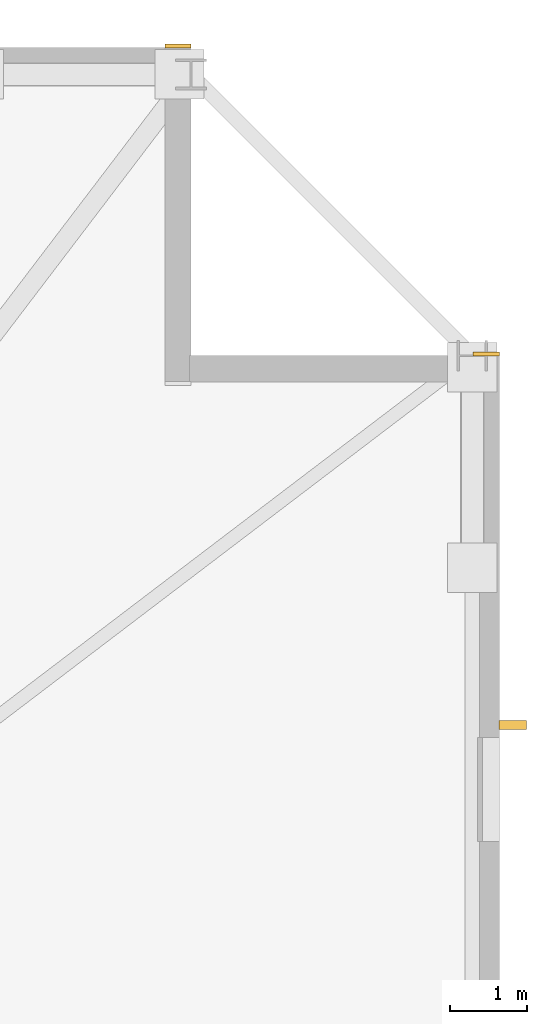
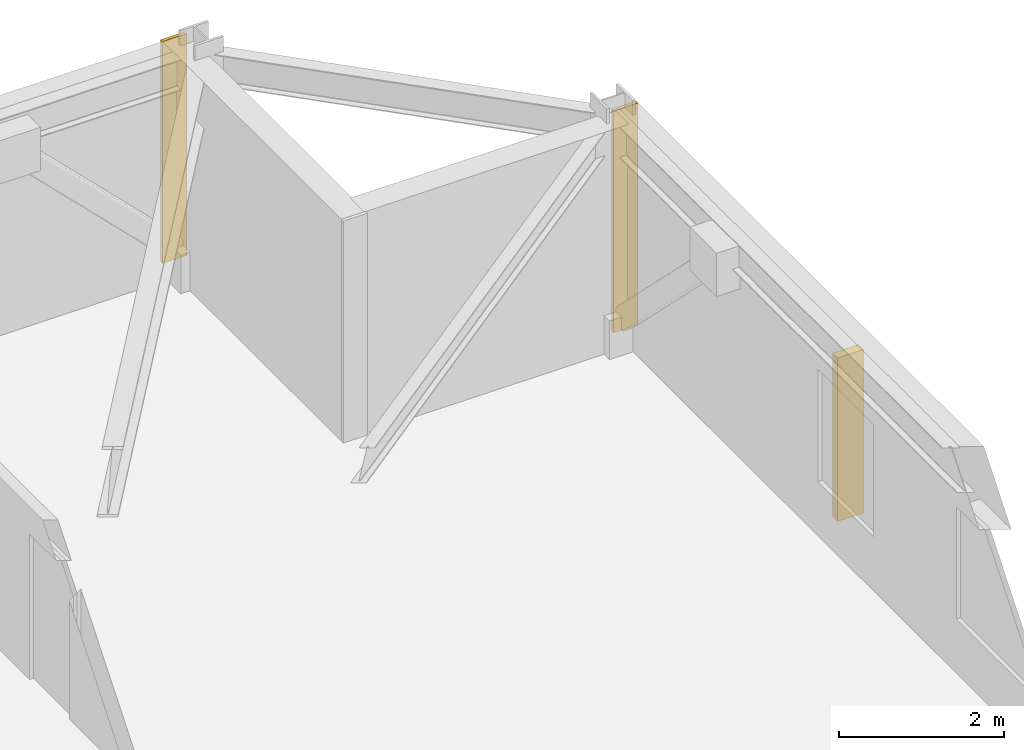
# One storey, part 11 of 11: 2 coverings, 1 shading device.
"""IFC4 building model written with IfcOpenShell, lengths in metres."""

from ifc_helpers import new_model, si_unit, direction, frame, frame_2d, origin, origin_2d, place, context, subcontext, project, spatial, rectangle, extrude, material, layer, layer_set, type_object, element, save


model = new_model("IFC4")

# Units and contexts
model_context = context("Model", 3, precision=1e-05, world=origin(), true_north=direction((0.0, 1.0)))
body_context = subcontext(model_context, "Body", "Model", "MODEL_VIEW")
ifc_project = project(units=[si_unit("LENGTHUNIT", "METRE"), si_unit("AREAUNIT", "SQUARE_METRE"), si_unit("VOLUMEUNIT", "CUBIC_METRE"), si_unit("PLANEANGLEUNIT", "RADIAN"), si_unit("MASSUNIT", "GRAM", prefix="KILO")], contexts=[model_context])

# Site, building, storey
site_placement = place(None, origin())
site = spatial("IfcSite", under=ifc_project, at=site_placement, CompositionType="ELEMENT")
building_placement = place(site_placement, origin())
building = spatial("IfcBuilding", under=site, at=building_placement, Name="Cairnveth Concourse Tower", CompositionType="ELEMENT")
storey_placement = place(building_placement, frame((0.0, 0.0, 155.0)))
storey = spatial("IfcBuildingStorey", under=building, at=storey_placement, Name="L42", CompositionType="ELEMENT", Elevation=155.0)

# Coverings
ifc_material_1 = material(Name="Dressed Melbourne Bluestone Cladding", Category="masonry")
ifc_layer = layer(ifc_material_1, 0.050048828125)
ifc_layer_set = layer_set([ifc_layer], Name="Dressed Melbourne Bluestone Cladding")
covering_type = type_object("IfcCoveringType", Name="DRESSED BLUESTONE PLINTH CLADDING 50", PredefinedType="CLADDING", material=ifc_layer_set)
for number, where, z_axis, x_axis, name in (
    (1, (71.659912109375, 63.02001953125, 0.0), (0.0, 0.0, 1.0), (1.0, 0.0, 0.0), "Melbourne Bluestone Corner Quoin L42-618"),
    (2, (75.659912109375, 59.02001953125, 0.0), (0.0, 0.0, 1.0), (1.0, 0.0, 0.0), "Melbourne Bluestone Corner Quoin L42-620"),
):
    element("IfcCovering", number, at=place(storey_placement, frame(where, z_axis=z_axis, x_axis=x_axis)), inside=storey, type_object=covering_type, Name=name, PredefinedType="CLADDING", context=body_context, shape_type="SweptSolid", body=[
        extrude(rectangle(XDim=0.340087890625, YDim=0.050048828125, at=frame_2d((0.169921875, 0.0))), origin(), (0.0, 0.0, 1.0), 3.280029296875),
    ])

# Shading device
ifc_material_2 = material(Name="Architectural Bronze Anodised Aluminium 6063-T6", Category="aluminium")
shading_device_type = type_object("IfcShadingDeviceType", Name="GOTHIC BRONZE VERTICAL LANCET FIN", PredefinedType="USERDEFINED", material=ifc_material_2)
shading_device_placement = place(storey_placement, frame((76.175048828125, 54.208251953125, 0.030029296875), z_axis=(0.0, 0.0, 1.0), x_axis=(0.0, 1.0, 0.0)))
element("IfcShadingDevice", 3, at=shading_device_placement, inside=storey, type_object=shading_device_type, Name="Gothic Bronze Vertical Fin L42-9-1", ObjectType="VERTICAL FIN", PredefinedType="USERDEFINED", context=body_context, shape_type="SweptSolid", body=[
    extrude(rectangle(XDim=0.1201171875, YDim=0.360107421875, at=origin_2d()), origin(), (0.0, 0.0, 1.0), 2.419921875),
])

save(model, "model.ifc")
